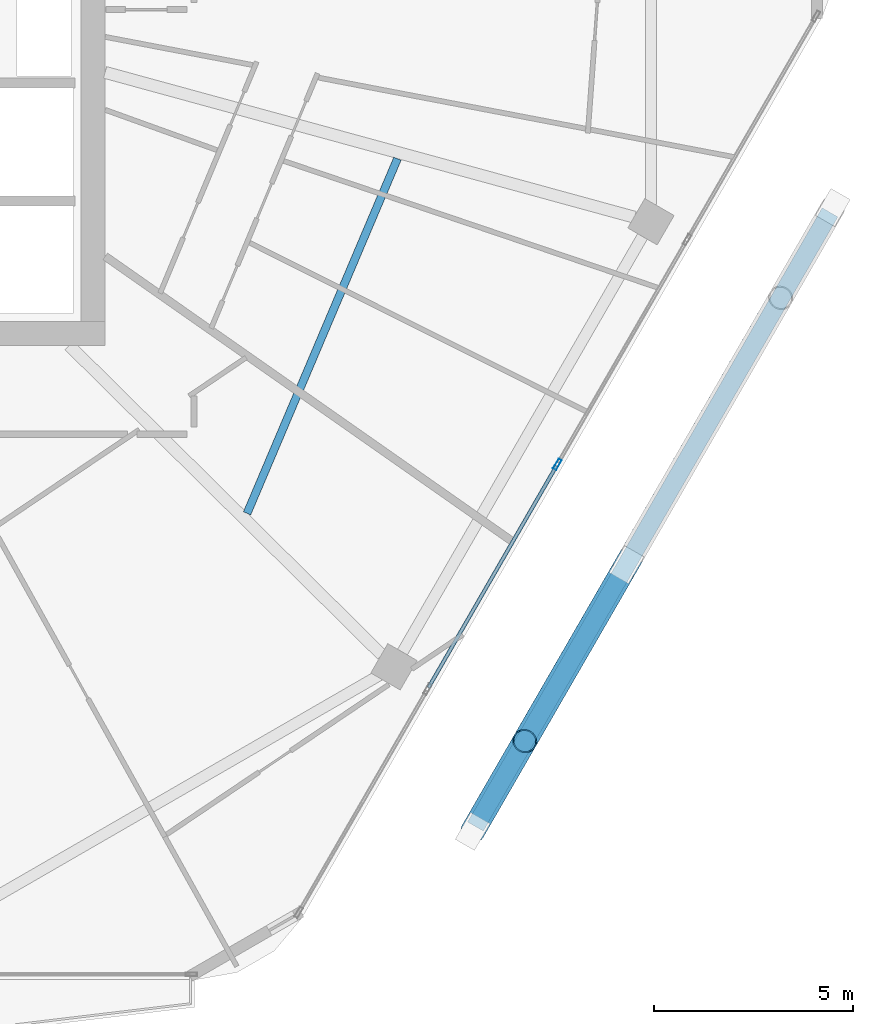
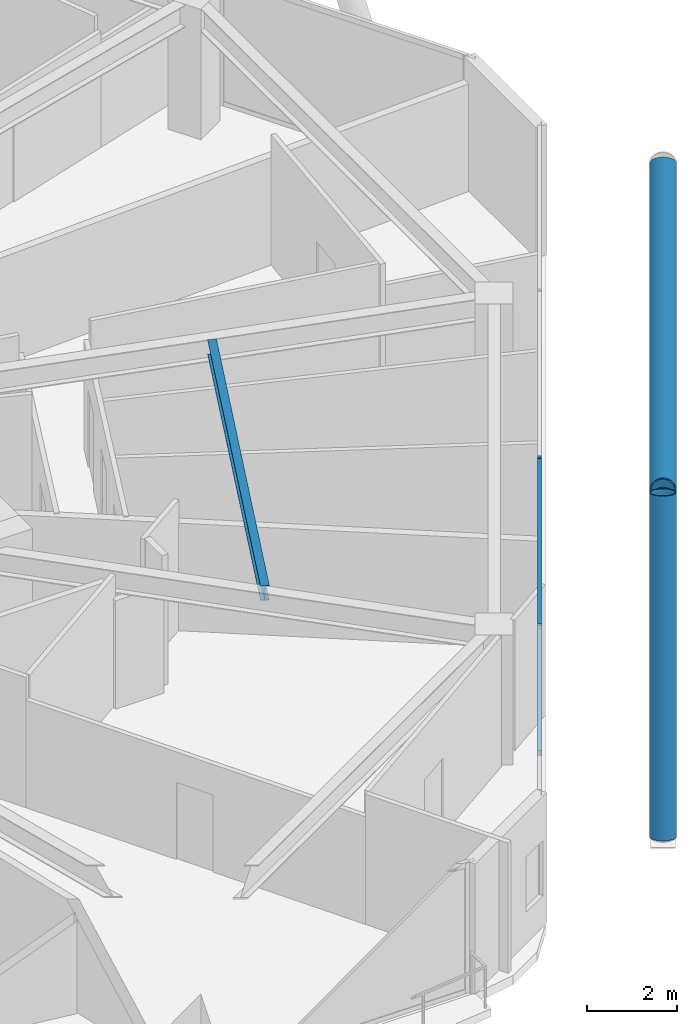
# One storey, part 9 of 27: 7 members, 1 beam, 1 element without a shape of its own.
"""IFC4 building model written with IfcOpenShell, lengths in metres."""

from ifc_helpers import new_model, si_unit, direction, frame, origin, origin_2d, place, context, subcontext, project, spatial, hollow_rectangle, hollow_circle, i_section, extrude, material, material_profile, profile_set, type_object, element, aggregate, save


model = new_model("IFC4")

# Units and contexts
model_context = context("Model", 3, precision=1e-05, world=origin(), true_north=direction((0.0, 1.0)))
body_context = subcontext(model_context, "Body", "Model", "MODEL_VIEW")
ifc_project = project(units=[si_unit("LENGTHUNIT", "METRE"), si_unit("AREAUNIT", "SQUARE_METRE"), si_unit("VOLUMEUNIT", "CUBIC_METRE"), si_unit("PLANEANGLEUNIT", "RADIAN"), si_unit("MASSUNIT", "GRAM", prefix="KILO")], contexts=[model_context])

# Site, building, storey
site_placement = place(None, origin())
site = spatial("IfcSite", under=ifc_project, at=site_placement, CompositionType="ELEMENT")
building_placement = place(site_placement, origin())
building = spatial("IfcBuilding", under=site, at=building_placement, Name="Zuhravey Tower", CompositionType="ELEMENT")
storey_placement = place(building_placement, frame((0.0, 0.0, 276.800048828125)))
storey = spatial("IfcBuildingStorey", under=building, at=storey_placement, Name="L70", CompositionType="ELEMENT", Elevation=276.800048828125)

# Curtain wall, members
ifc_material_1 = material(Name="Thermally broken anodised aluminium", Category="aluminium")
curtain_wall_type = type_object("IfcCurtainWallType", Name="Zone 3-4 High-Rise Curtain Wall CW4", PredefinedType="NOTDEFINED", material=ifc_material_1)
curtain_wall_placement = place(storey_placement, origin())
curtain_wall = element("IfcCurtainWall", 1, at=curtain_wall_placement, inside=storey, type_object=curtain_wall_type, Name="L70 CW4 CW-L70-F6-1", PredefinedType="NOTDEFINED")
ifc_material_2 = material(Name="Anodised aluminium", Category="aluminium")
ifc_material_profile_1 = material_profile(ifc_material_2, hollow_rectangle(XDim=0.090087890625, YDim=0.284912109375, WallThickness=0.0048828125, at=origin_2d()), Name="ALU-RHS-90x285x5")
ifc_profile_set_1 = profile_set([ifc_material_profile_1], Name="Anodised aluminium")
member_type_1 = type_object("IfcMemberType", Name="Curtain-Wall Mullion 90x180", PredefinedType="MULLION", material=ifc_profile_set_1)
member_1_placement = place(storey_placement, frame((58.138671875, 19.21826171875, 0.0), z_axis=(0.0, 0.0, 1.0), x_axis=(0.866024851021, -0.500000957414, 0.0)))
member_1 = element("IfcMember", 2, at=member_1_placement, type_object=member_type_1, Name="CW4 mullion 3", PredefinedType="MULLION", context=body_context, shape_type="SweptSolid", body=[
    extrude(hollow_rectangle(XDim=0.090087890625, YDim=0.284912109375, WallThickness=0.0048828125, at=origin_2d()), origin(), (0.0, 0.0, 1.0), 3.550048828125),
])
ifc_material_profile_2 = material_profile(ifc_material_2, hollow_rectangle(XDim=0.090087890625, YDim=0.14990234375, WallThickness=0.0048828125, at=origin_2d()), Name="ALU-RHS-90x150x5")
ifc_profile_set_2 = profile_set([ifc_material_profile_2], Name="Anodised aluminium")
member_type_2 = type_object("IfcMemberType", Name="Curtain-Wall Transom 90x150", PredefinedType="USERDEFINED", material=ifc_profile_set_2)
member_2_placement = place(storey_placement, frame((58.1162109375, 19.17919921875, 0.044921875), z_axis=(-0.500014493347, -0.866017035885, 0.0), x_axis=(0.866017035885, -0.500014493347, 0.0)))
member_2 = element("IfcMember", 3, at=member_2_placement, type_object=member_type_2, Name="CW4 transom 3.1", ObjectType="TRANSOM", PredefinedType="USERDEFINED", context=body_context, shape_type="SweptSolid", body=[
    extrude(hollow_rectangle(XDim=0.090087890625, YDim=0.14990234375, WallThickness=0.0048828125, at=origin_2d()), origin(), (0.0, 0.0, 1.0), 6.416259765625),
])
member_3_placement = place(storey_placement, frame((58.1162109375, 19.17919921875, 3.5048828125), z_axis=(-0.500014493347, -0.866017035885, 0.0), x_axis=(0.866017035885, -0.500014493347, 0.0)))
member_3 = element("IfcMember", 4, at=member_3_placement, type_object=member_type_2, Name="CW4 transom 3.2", ObjectType="TRANSOM", PredefinedType="USERDEFINED", context=body_context, shape_type="SweptSolid", body=[
    extrude(hollow_rectangle(XDim=0.090087890625, YDim=0.14990234375, WallThickness=0.0048828125, at=origin_2d()), origin(), (0.0, 0.0, 1.0), 6.416259765625),
])
aggregate(curtain_wall, [member_1, member_2, member_3])

# Members
ifc_material_3 = material(Name="Steel SM355", Category="steel")
ifc_material_profile_3 = material_profile(ifc_material_3, hollow_circle(Radius=0.228515625, WallThickness=0.02197265625, at=origin_2d()), Name="CHS-457.2x22")
ifc_profile_set_3 = profile_set([ifc_material_profile_3], Name="Steel SM355")
member_type_3 = type_object("IfcMemberType", Name="Exoskeleton Ring Tie CHS457x22", PredefinedType="CHORD", material=ifc_profile_set_3)
member_4_placement = place(storey_placement, frame((56.08447265625, 10.14013671875, -0.464111328125), z_axis=(0.499995467921, 0.866028020366, 0.0), x_axis=(-0.866028020366, 0.499995467921, 0.0)))
element("IfcMember", 5, at=member_4_placement, inside=storey, type_object=member_type_3, Name="L70 Exoskeleton Face 6 Tie EXR1", PredefinedType="CHORD", context=body_context, shape_type="SweptSolid", body=[
    extrude(hollow_circle(Radius=0.228515625, WallThickness=0.02197265625, at=origin_2d()), origin(), (0.0, 0.0, 1.0), 17.778076171875),
])
ifc_material_profile_4 = material_profile(ifc_material_3, hollow_circle(Radius=0.3046875, WallThickness=0.028076171875, at=origin_2d()), Name="CHS-609.6x28")
ifc_profile_set_4 = profile_set([ifc_material_profile_4], Name="Steel SM355")
member_type_4 = type_object("IfcMemberType", Name="Exoskeleton Zone 3 Diagrid CHS610x28", PredefinedType="BRACE", material=ifc_profile_set_4)
member_5_placement = place(storey_placement, frame((56.017578125, 10.024169921875, -0.446044921875), z_axis=(0.163029217662, 0.282394798701, 0.945343668649), x_axis=(-0.866040668696, 0.499973559465, 0.0)))
element("IfcMember", 6, at=member_5_placement, inside=storey, type_object=member_type_4, Name="L70 Face 6 Diagrid Brace 1", PredefinedType="BRACE", context=body_context, shape_type="SweptSolid", body=[
    extrude(hollow_circle(Radius=0.3046875, WallThickness=0.028076171875, at=origin_2d()), origin(), (0.0, 0.0, 1.0), 8.001220703125),
])
member_6_placement = place(storey_placement, frame((56.03271484375, 10.050537109375, -0.446044921875), z_axis=(0.44858715889, 0.776961798354, 0.441701171357), x_axis=(-0.866021515814, 0.500006734102, 0.0)))
element("IfcMember", 7, at=member_6_placement, inside=storey, type_object=member_type_4, Name="L70 Face 6 Diagrid Brace 2", PredefinedType="BRACE", context=body_context, shape_type="SweptSolid", body=[
    extrude(hollow_circle(Radius=0.3046875, WallThickness=0.028076171875, at=origin_2d()), origin(), (0.0, 0.0, 1.0), 17.12451171875),
])
member_7_placement = place(storey_placement, frame((59.75537109375, 16.498291015625, 3.51220703125), z_axis=(-0.400847383704, -0.694296697272, 0.597723574183), x_axis=(0.866028105091, -0.49999532117, 0.0)))
element("IfcMember", 8, at=member_7_placement, inside=storey, type_object=member_type_4, Name="L70 Face 6 Split Diagrid Brace 3B", PredefinedType="BRACE", context=body_context, shape_type="SweptSolid", body=[
    extrude(hollow_circle(Radius=0.3046875, WallThickness=0.028076171875, at=origin_2d()), origin(), (0.0, 0.0, 1.0), 6.021728515625),
])

# Beam
ifc_material_profile_5 = material_profile(ifc_material_3, i_section(OverallWidth=0.199951171875, OverallDepth=0.39990234375, WebThickness=0.008056640625, FlangeThickness=0.012939453125, at=origin_2d()), Name="H-400x200x8x13")
ifc_profile_set_5 = profile_set([ifc_material_profile_5], Name="Steel SM355")
beam_type = type_object("IfcBeamType", Name="Secondary Floor Joist H400x200", PredefinedType="JOIST", material=ifc_profile_set_5)
beam_placement = place(storey_placement, frame((50.36083984375, 17.990966796875, 3.349853515625), z_axis=(0.390413493754, 0.920639616731, 0.0), x_axis=(-0.920639616731, 0.390413493754, 0.0)))
element("IfcBeam", 9, at=beam_placement, inside=storey, type_object=beam_type, Name="L70 SJ2 BM-L70-SJ-11-1", PredefinedType="JOIST", context=body_context, shape_type="SweptSolid", body=[
    extrude(i_section(OverallWidth=0.199951171875, OverallDepth=0.39990234375, WebThickness=0.008056640625, FlangeThickness=0.012939453125, at=origin_2d()), origin(), (0.0, 0.0, 1.0), 9.656494140625),
])

save(model, "model.ifc")
